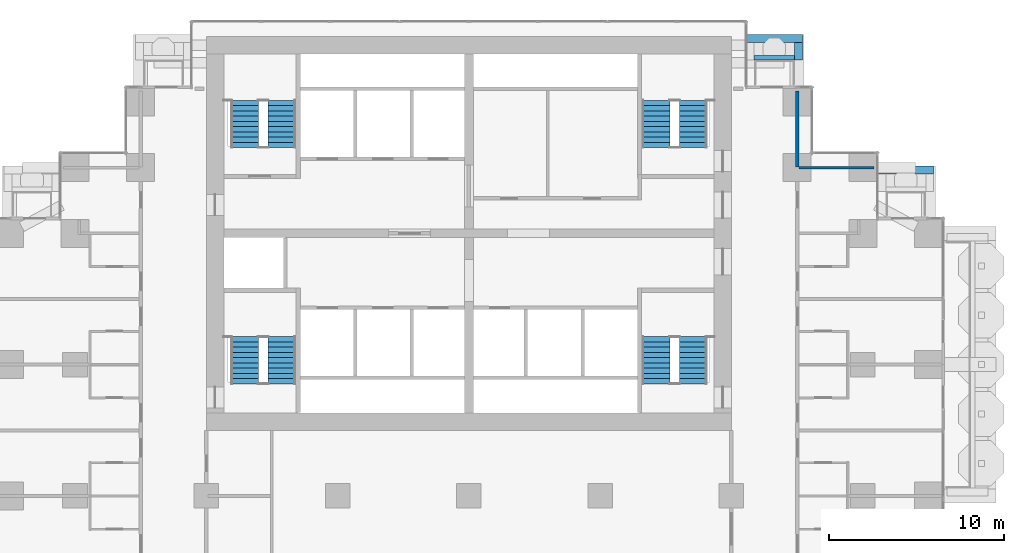
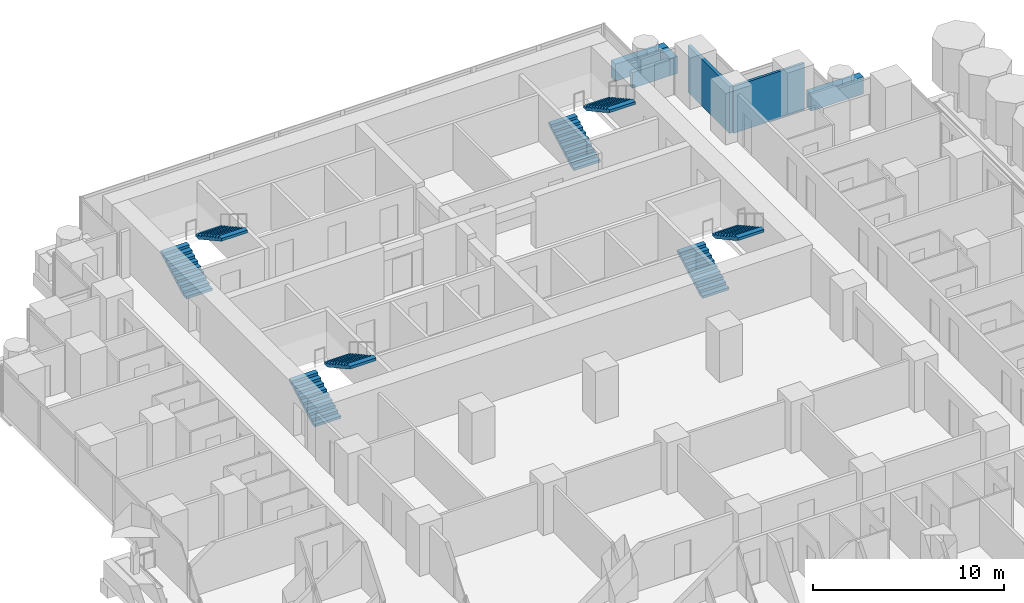
# One storey, part 16 of 19: 8 stair flights, 6 walls, 4 elements without a shape of their own.
"""IFC4 building model written with IfcOpenShell, lengths in metres."""

from ifc_helpers import new_model, si_unit, direction, frame, frame_2d, origin, place, context, subcontext, project, spatial, polyline, rectangle, outline, extrude, material, layer, layer_set, type_object, element, aggregate, save


model = new_model("IFC4")

# Units and contexts
model_context = context("Model", 3, precision=1e-05, world=origin(), true_north=direction((0.0, 1.0)))
body_context = subcontext(model_context, "Body", "Model", "MODEL_VIEW")
ifc_project = project(units=[si_unit("LENGTHUNIT", "METRE"), si_unit("AREAUNIT", "SQUARE_METRE"), si_unit("VOLUMEUNIT", "CUBIC_METRE"), si_unit("PLANEANGLEUNIT", "RADIAN"), si_unit("MASSUNIT", "GRAM", prefix="KILO")], contexts=[model_context])

# Site, building, storey
site_placement = place(None, origin())
site = spatial("IfcSite", under=ifc_project, at=site_placement, CompositionType="ELEMENT")
building_placement = place(site_placement, origin())
building = spatial("IfcBuilding", under=site, at=building_placement, Name="Pilkhan Gate Tower", CompositionType="ELEMENT")
storey_placement = place(building_placement, frame((0.0, 0.0, 46.10009765625)))
storey = spatial("IfcBuildingStorey", under=building, at=storey_placement, Name="L08", CompositionType="ELEMENT", Elevation=46.10009765625)

# Walls
ifc_material_1 = material(Name="Concrete C40/50", Category="concrete")
ifc_layer_1 = layer(ifc_material_1, 0.25)
ifc_layer_set_1 = layer_set([ifc_layer_1], Name="Balcony planter BP250")
wall_type_1 = type_object("IfcWallType", Name="Balcony planter BP250", PredefinedType="USERDEFINED", material=ifc_layer_set_1)
wall_1_placement = place(storey_placement, frame((91.300048828125, 92.52490234375, 0.0), z_axis=(0.0, 0.0, 1.0), x_axis=(1.0, 0.0, 0.0)))
element("IfcWall", 1, at=wall_1_placement, inside=storey, type_object=wall_type_1, Name="Balcony planter L08 N", ObjectType="BALCONY PLANTER", PredefinedType="USERDEFINED", context=body_context, shape_type="SweptSolid", body=[
    extrude(rectangle(XDim=2.300048828125, YDim=0.25, at=frame_2d((1.14990234375, 0.0))), origin(), (0.0, 0.0, 1.0), 1.0),
])
ifc_material_2 = material(Name="Board-marked Concrete C40/50", Category="concrete")
ifc_layer_2 = layer(ifc_material_2, 0.449951171875)
ifc_layer_set_2 = layer_set([ifc_layer_2], Name="Balcony planter lip BL450")
wall_type_2 = type_object("IfcWallType", Name="Balcony planter lip BL450", PredefinedType="USERDEFINED", material=ifc_layer_set_2)
wall_2_placement = place(storey_placement, frame((90.85009765625, 93.625, 0.0), z_axis=(0.0, 0.0, 1.0), x_axis=(1.0, 0.0, 0.0)))
element("IfcWall", 2, at=wall_2_placement, inside=storey, type_object=wall_type_2, Name="Balcony planter L08 N", ObjectType="BALCONY PLANTER", PredefinedType="USERDEFINED", context=body_context, shape_type="SweptSolid", body=[
    extrude(rectangle(XDim=3.199951171875, YDim=0.449951171875, at=frame_2d((1.60009765625, 0.0))), origin(), (0.0, 0.0, 1.0), 1.099853515625),
])
wall_3_placement = place(storey_placement, frame((93.824951171875, 92.39990234375, 0.0), z_axis=(0.0, 0.0, 1.0), x_axis=(0.0, 1.0, 0.0)))
element("IfcWall", 3, at=wall_3_placement, inside=storey, type_object=wall_type_2, Name="Balcony planter L08 N", ObjectType="BALCONY PLANTER", PredefinedType="USERDEFINED", context=body_context, shape_type="SweptSolid", body=[
    extrude(rectangle(XDim=1.0, YDim=0.449951171875, at=frame_2d((0.5, 0.0))), origin(), (0.0, 0.0, 1.0), 1.099853515625),
])
wall_4_placement = place(storey_placement, frame((98.3701171875, 86.125, 0.0), z_axis=(0.0, 0.0, 1.0), x_axis=(1.0, 0.0, 0.0)))
element("IfcWall", 4, at=wall_4_placement, inside=storey, type_object=wall_type_2, Name="Balcony planter L08 N", ObjectType="BALCONY PLANTER", PredefinedType="USERDEFINED", context=body_context, shape_type="SweptSolid", body=[
    extrude(rectangle(XDim=3.179931640625, YDim=0.449951171875, at=frame_2d((1.58984375, 0.0))), origin(), (0.0, 0.0, 1.0), 1.099853515625),
])
ifc_material_3 = material(Name="Dense blockwork", Category="masonry")
ifc_layer_3 = layer(ifc_material_3, 0.199951171875)
ifc_layer_set_3 = layer_set([ifc_layer_3], Name="Corridor wall FW200")
wall_type_3 = type_object("IfcWallType", Name="Corridor wall FW200", PredefinedType="PARTITIONING", material=ifc_layer_set_3)
wall_5_placement = place(storey_placement, frame((93.75, 86.280029296875, 0.0), z_axis=(0.0, 0.0, 1.0), x_axis=(0.0, 1.0, 0.0)))
element("IfcWall", 5, at=wall_5_placement, inside=storey, type_object=wall_type_3, Name="Partition L08", PredefinedType="PARTITIONING", context=body_context, shape_type="SweptSolid", body=[
    extrude(rectangle(XDim=4.364990234375, YDim=0.199951171875, at=frame_2d((2.1826171875, 0.0))), origin(), (0.0, 0.0, 1.0), 3.0),
])
ifc_material_4 = material(Name="Blockwork partition, plastered both sides", Category="masonry")
ifc_layer_4 = layer(ifc_material_4, 0.14990234375)
ifc_layer_set_4 = layer_set([ifc_layer_4], Name="Partition PW150")
wall_type_4 = type_object("IfcWallType", Name="Partition PW150", PredefinedType="PARTITIONING", material=ifc_layer_set_4)
wall_6_placement = place(storey_placement, frame((93.85009765625, 86.25, 0.0), z_axis=(0.0, 0.0, 1.0), x_axis=(1.0, 0.0, 0.0)))
element("IfcWall", 6, at=wall_6_placement, inside=storey, type_object=wall_type_4, Name="Partition L08", PredefinedType="PARTITIONING", context=body_context, shape_type="SweptSolid", body=[
    extrude(rectangle(XDim=4.294921875, YDim=0.14990234375, at=frame_2d((2.1474609375, 0.0))), origin(), (0.0, 0.0, 1.0), 3.0),
])

# Stair, stair flights
ifc_material_5 = material(Name="Concrete C40/50 precast", Category="concrete")
stair_type_1 = type_object("IfcStairType", Name="Stair ST1 165x300", PredefinedType="HALF_TURN_STAIR", material=ifc_material_5)
stair_1_placement = place(storey_placement, origin())
stair_1 = element("IfcStair", 7, at=stair_1_placement, inside=storey, type_object=stair_type_1, Name="Stair ST1 L08", PredefinedType="HALF_TURN_STAIR")
stair_flight_type_1 = type_object("IfcStairFlightType", Name="Stair flight ST1 165x300x10", PredefinedType="STRAIGHT", material=ifc_material_5)
stair_flight_1_placement = place(storey_placement, frame((85.68994140625, 73.89990234375, 0.0), z_axis=(0.0, 0.0, 1.0), x_axis=(0.0, 1.0, 0.0)))
stair_flight_1 = element("IfcStairFlight", 8, at=stair_flight_1_placement, type_object=stair_flight_type_1, Name="ST1 flight 1", NumberOfRisers=10, NumberOfTreads=9, PredefinedType="STRAIGHT", RiserHeight=0.165, TreadLength=0.3, context=body_context, shape_type="SweptSolid", body=[
    extrude(outline(polyline([(0.0, 0.0), (0.0, 0.1650390625), (0.300048828125, 0.1650390625), (0.300048828125, 0.330078125), (0.60009765625, 0.330078125), (0.60009765625, 0.4951171875), (0.89990234375, 0.4951171875), (0.89990234375, 0.659912109375), (1.199951171875, 0.659912109375), (1.199951171875, 0.824951171875), (1.5, 0.824951171875), (1.5, 0.989990234375), (1.800048828125, 0.989990234375), (1.800048828125, 1.155029296875), (2.10009765625, 1.155029296875), (2.10009765625, 1.320068359375), (2.39990234375, 1.320068359375), (2.39990234375, 1.485107421875), (2.699951171875, 1.485107421875), (2.699951171875, 1.64990234375), (2.699951171875, 1.31396484375), (0.31103515625, 0.0), (0.0, 0.0)])), frame((0.0, 0.7900390625, 0.0), z_axis=(0.0, -1.0, 0.0), x_axis=(1.0, 0.0, 0.0)), (0.0, 0.0, 1.0), 1.580078125),
])
stair_flight_2_placement = place(storey_placement, frame((87.81005859375, 76.60009765625, 1.64990234375), z_axis=(0.0, 0.0, 1.0), x_axis=(0.0, -1.0, 0.0)))
stair_flight_2 = element("IfcStairFlight", 9, at=stair_flight_2_placement, type_object=stair_flight_type_1, Name="ST1 flight 2", NumberOfRisers=10, NumberOfTreads=9, PredefinedType="STRAIGHT", RiserHeight=0.165, TreadLength=0.3, context=body_context, shape_type="SweptSolid", body=[
    extrude(outline(polyline([(0.0, 0.0), (0.0, 0.1650390625), (0.300048828125, 0.1650390625), (0.300048828125, 0.330078125), (0.60009765625, 0.330078125), (0.60009765625, 0.4951171875), (0.89990234375, 0.4951171875), (0.89990234375, 0.659912109375), (1.199951171875, 0.659912109375), (1.199951171875, 0.824951171875), (1.5, 0.824951171875), (1.5, 0.989990234375), (1.800048828125, 0.989990234375), (1.800048828125, 1.155029296875), (2.10009765625, 1.155029296875), (2.10009765625, 1.320068359375), (2.39990234375, 1.320068359375), (2.39990234375, 1.485107421875), (2.699951171875, 1.485107421875), (2.699951171875, 1.64990234375), (2.699951171875, 1.31396484375), (0.31103515625, 0.0), (0.0, 0.0)])), frame((0.0, 0.7900390625, 0.0), z_axis=(0.0, -1.0, 0.0), x_axis=(1.0, 0.0, 0.0)), (0.0, 0.0, 1.0), 1.580078125),
])
aggregate(stair_1, [stair_flight_1, stair_flight_2])

stair_type_2 = type_object("IfcStairType", Name="Stair ST2 165x300", PredefinedType="HALF_TURN_STAIR", material=ifc_material_5)
stair_2_placement = place(storey_placement, origin())
stair_2 = element("IfcStair", 10, at=stair_2_placement, inside=storey, type_object=stair_type_2, Name="Stair ST2 L08", PredefinedType="HALF_TURN_STAIR")
stair_flight_type_2 = type_object("IfcStairFlightType", Name="Stair flight ST2 165x300x10", PredefinedType="STRAIGHT", material=ifc_material_5)
stair_flight_3_placement = place(storey_placement, frame((62.18994140625, 73.89990234375, 0.0), z_axis=(0.0, 0.0, 1.0), x_axis=(0.0, 1.0, 0.0)))
stair_flight_3 = element("IfcStairFlight", 11, at=stair_flight_3_placement, type_object=stair_flight_type_2, Name="ST2 flight 1", NumberOfRisers=10, NumberOfTreads=9, PredefinedType="STRAIGHT", RiserHeight=0.165, TreadLength=0.3, context=body_context, shape_type="SweptSolid", body=[
    extrude(outline(polyline([(0.0, 0.0), (0.0, 0.1650390625), (0.300048828125, 0.1650390625), (0.300048828125, 0.330078125), (0.60009765625, 0.330078125), (0.60009765625, 0.4951171875), (0.89990234375, 0.4951171875), (0.89990234375, 0.659912109375), (1.199951171875, 0.659912109375), (1.199951171875, 0.824951171875), (1.5, 0.824951171875), (1.5, 0.989990234375), (1.800048828125, 0.989990234375), (1.800048828125, 1.155029296875), (2.10009765625, 1.155029296875), (2.10009765625, 1.320068359375), (2.39990234375, 1.320068359375), (2.39990234375, 1.485107421875), (2.699951171875, 1.485107421875), (2.699951171875, 1.64990234375), (2.699951171875, 1.31396484375), (0.31103515625, 0.0), (0.0, 0.0)])), frame((0.0, 0.7900390625, 0.0), z_axis=(0.0, -1.0, 0.0), x_axis=(1.0, 0.0, 0.0)), (0.0, 0.0, 1.0), 1.580078125),
])
stair_flight_4_placement = place(storey_placement, frame((64.31005859375, 76.60009765625, 1.64990234375), z_axis=(0.0, 0.0, 1.0), x_axis=(0.0, -1.0, 0.0)))
stair_flight_4 = element("IfcStairFlight", 12, at=stair_flight_4_placement, type_object=stair_flight_type_2, Name="ST2 flight 2", NumberOfRisers=10, NumberOfTreads=9, PredefinedType="STRAIGHT", RiserHeight=0.165, TreadLength=0.3, context=body_context, shape_type="SweptSolid", body=[
    extrude(outline(polyline([(0.0, 0.0), (0.0, 0.1650390625), (0.300048828125, 0.1650390625), (0.300048828125, 0.330078125), (0.60009765625, 0.330078125), (0.60009765625, 0.4951171875), (0.89990234375, 0.4951171875), (0.89990234375, 0.659912109375), (1.199951171875, 0.659912109375), (1.199951171875, 0.824951171875), (1.5, 0.824951171875), (1.5, 0.989990234375), (1.800048828125, 0.989990234375), (1.800048828125, 1.155029296875), (2.10009765625, 1.155029296875), (2.10009765625, 1.320068359375), (2.39990234375, 1.320068359375), (2.39990234375, 1.485107421875), (2.699951171875, 1.485107421875), (2.699951171875, 1.64990234375), (2.699951171875, 1.31396484375), (0.31103515625, 0.0), (0.0, 0.0)])), frame((0.0, 0.7900390625, 0.0), z_axis=(0.0, -1.0, 0.0), x_axis=(1.0, 0.0, 0.0)), (0.0, 0.0, 1.0), 1.580078125),
])
aggregate(stair_2, [stair_flight_3, stair_flight_4])

stair_type_3 = type_object("IfcStairType", Name="Stair ST3 165x300", PredefinedType="HALF_TURN_STAIR", material=ifc_material_5)
stair_3_placement = place(storey_placement, origin())
stair_3 = element("IfcStair", 13, at=stair_3_placement, inside=storey, type_object=stair_type_3, Name="Stair ST3 L08", PredefinedType="HALF_TURN_STAIR")
stair_flight_type_3 = type_object("IfcStairFlightType", Name="Stair flight ST3 165x300x10", PredefinedType="STRAIGHT", material=ifc_material_5)
stair_flight_5_placement = place(storey_placement, frame((62.18994140625, 87.39990234375, 0.0), z_axis=(0.0, 0.0, 1.0), x_axis=(0.0, 1.0, 0.0)))
stair_flight_5 = element("IfcStairFlight", 14, at=stair_flight_5_placement, type_object=stair_flight_type_3, Name="ST3 flight 1", NumberOfRisers=10, NumberOfTreads=9, PredefinedType="STRAIGHT", RiserHeight=0.165, TreadLength=0.3, context=body_context, shape_type="SweptSolid", body=[
    extrude(outline(polyline([(0.0, 0.0), (0.0, 0.1650390625), (0.300048828125, 0.1650390625), (0.300048828125, 0.330078125), (0.60009765625, 0.330078125), (0.60009765625, 0.4951171875), (0.89990234375, 0.4951171875), (0.89990234375, 0.659912109375), (1.199951171875, 0.659912109375), (1.199951171875, 0.824951171875), (1.5, 0.824951171875), (1.5, 0.989990234375), (1.800048828125, 0.989990234375), (1.800048828125, 1.155029296875), (2.10009765625, 1.155029296875), (2.10009765625, 1.320068359375), (2.39990234375, 1.320068359375), (2.39990234375, 1.485107421875), (2.699951171875, 1.485107421875), (2.699951171875, 1.64990234375), (2.699951171875, 1.31396484375), (0.31103515625, 0.0), (0.0, 0.0)])), frame((0.0, 0.7900390625, 0.0), z_axis=(0.0, -1.0, 0.0), x_axis=(1.0, 0.0, 0.0)), (0.0, 0.0, 1.0), 1.580078125),
])
stair_flight_6_placement = place(storey_placement, frame((64.31005859375, 90.10009765625, 1.64990234375), z_axis=(0.0, 0.0, 1.0), x_axis=(0.0, -1.0, 0.0)))
stair_flight_6 = element("IfcStairFlight", 15, at=stair_flight_6_placement, type_object=stair_flight_type_3, Name="ST3 flight 2", NumberOfRisers=10, NumberOfTreads=9, PredefinedType="STRAIGHT", RiserHeight=0.165, TreadLength=0.3, context=body_context, shape_type="SweptSolid", body=[
    extrude(outline(polyline([(0.0, 0.0), (0.0, 0.1650390625), (0.300048828125, 0.1650390625), (0.300048828125, 0.330078125), (0.60009765625, 0.330078125), (0.60009765625, 0.4951171875), (0.89990234375, 0.4951171875), (0.89990234375, 0.659912109375), (1.199951171875, 0.659912109375), (1.199951171875, 0.824951171875), (1.5, 0.824951171875), (1.5, 0.989990234375), (1.800048828125, 0.989990234375), (1.800048828125, 1.155029296875), (2.10009765625, 1.155029296875), (2.10009765625, 1.320068359375), (2.39990234375, 1.320068359375), (2.39990234375, 1.485107421875), (2.699951171875, 1.485107421875), (2.699951171875, 1.64990234375), (2.699951171875, 1.31396484375), (0.31103515625, 0.0), (0.0, 0.0)])), frame((0.0, 0.7900390625, 0.0), z_axis=(0.0, -1.0, 0.0), x_axis=(1.0, 0.0, 0.0)), (0.0, 0.0, 1.0), 1.580078125),
])
aggregate(stair_3, [stair_flight_5, stair_flight_6])

stair_type_4 = type_object("IfcStairType", Name="Stair ST4 165x300", PredefinedType="HALF_TURN_STAIR", material=ifc_material_5)
stair_4_placement = place(storey_placement, origin())
stair_4 = element("IfcStair", 16, at=stair_4_placement, inside=storey, type_object=stair_type_4, Name="Stair ST4 L08", PredefinedType="HALF_TURN_STAIR")
stair_flight_type_4 = type_object("IfcStairFlightType", Name="Stair flight ST4 165x300x10", PredefinedType="STRAIGHT", material=ifc_material_5)
stair_flight_7_placement = place(storey_placement, frame((85.68994140625, 87.39990234375, 0.0), z_axis=(0.0, 0.0, 1.0), x_axis=(0.0, 1.0, 0.0)))
stair_flight_7 = element("IfcStairFlight", 17, at=stair_flight_7_placement, type_object=stair_flight_type_4, Name="ST4 flight 1", NumberOfRisers=10, NumberOfTreads=9, PredefinedType="STRAIGHT", RiserHeight=0.165, TreadLength=0.3, context=body_context, shape_type="SweptSolid", body=[
    extrude(outline(polyline([(0.0, 0.0), (0.0, 0.1650390625), (0.300048828125, 0.1650390625), (0.300048828125, 0.330078125), (0.60009765625, 0.330078125), (0.60009765625, 0.4951171875), (0.89990234375, 0.4951171875), (0.89990234375, 0.659912109375), (1.199951171875, 0.659912109375), (1.199951171875, 0.824951171875), (1.5, 0.824951171875), (1.5, 0.989990234375), (1.800048828125, 0.989990234375), (1.800048828125, 1.155029296875), (2.10009765625, 1.155029296875), (2.10009765625, 1.320068359375), (2.39990234375, 1.320068359375), (2.39990234375, 1.485107421875), (2.699951171875, 1.485107421875), (2.699951171875, 1.64990234375), (2.699951171875, 1.31396484375), (0.31103515625, 0.0), (0.0, 0.0)])), frame((0.0, 0.7900390625, 0.0), z_axis=(0.0, -1.0, 0.0), x_axis=(1.0, 0.0, 0.0)), (0.0, 0.0, 1.0), 1.580078125),
])
stair_flight_8_placement = place(storey_placement, frame((87.81005859375, 90.10009765625, 1.64990234375), z_axis=(0.0, 0.0, 1.0), x_axis=(0.0, -1.0, 0.0)))
stair_flight_8 = element("IfcStairFlight", 18, at=stair_flight_8_placement, type_object=stair_flight_type_4, Name="ST4 flight 2", NumberOfRisers=10, NumberOfTreads=9, PredefinedType="STRAIGHT", RiserHeight=0.165, TreadLength=0.3, context=body_context, shape_type="SweptSolid", body=[
    extrude(outline(polyline([(0.0, 0.0), (0.0, 0.1650390625), (0.300048828125, 0.1650390625), (0.300048828125, 0.330078125), (0.60009765625, 0.330078125), (0.60009765625, 0.4951171875), (0.89990234375, 0.4951171875), (0.89990234375, 0.659912109375), (1.199951171875, 0.659912109375), (1.199951171875, 0.824951171875), (1.5, 0.824951171875), (1.5, 0.989990234375), (1.800048828125, 0.989990234375), (1.800048828125, 1.155029296875), (2.10009765625, 1.155029296875), (2.10009765625, 1.320068359375), (2.39990234375, 1.320068359375), (2.39990234375, 1.485107421875), (2.699951171875, 1.485107421875), (2.699951171875, 1.64990234375), (2.699951171875, 1.31396484375), (0.31103515625, 0.0), (0.0, 0.0)])), frame((0.0, 0.7900390625, 0.0), z_axis=(0.0, -1.0, 0.0), x_axis=(1.0, 0.0, 0.0)), (0.0, 0.0, 1.0), 1.580078125),
])
aggregate(stair_4, [stair_flight_7, stair_flight_8])

save(model, "model.ifc")
